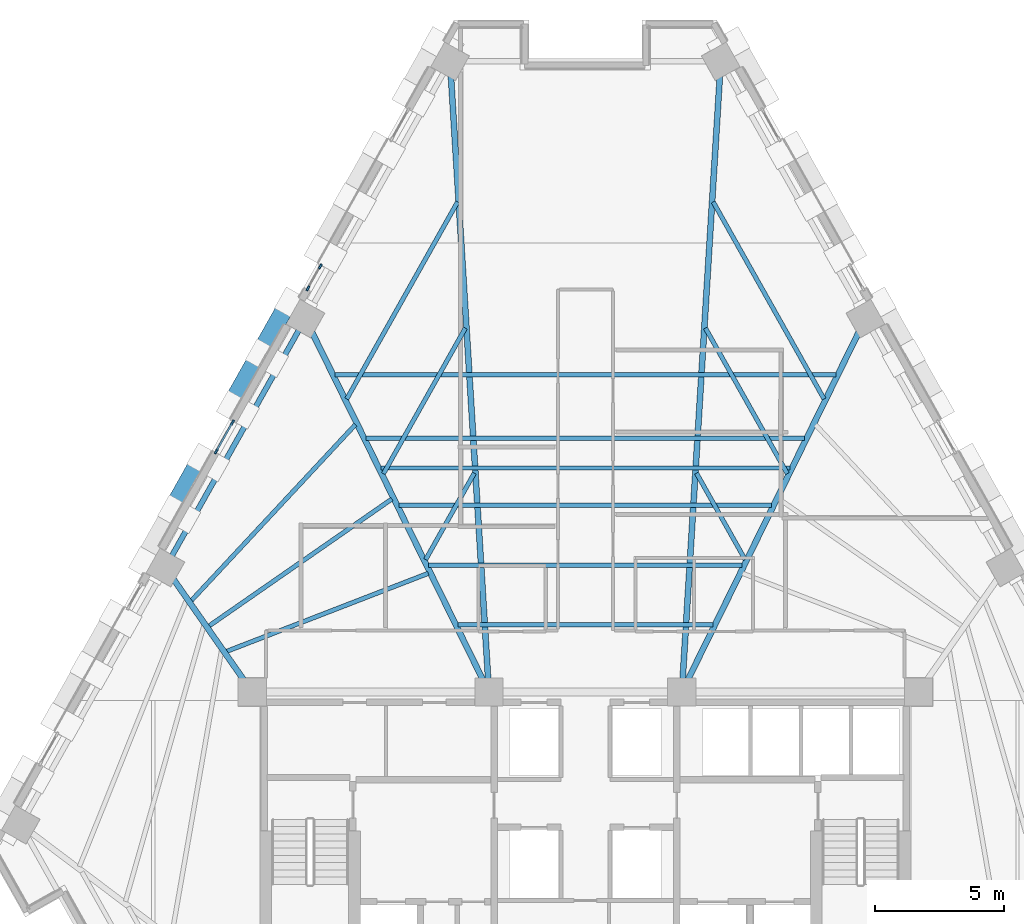
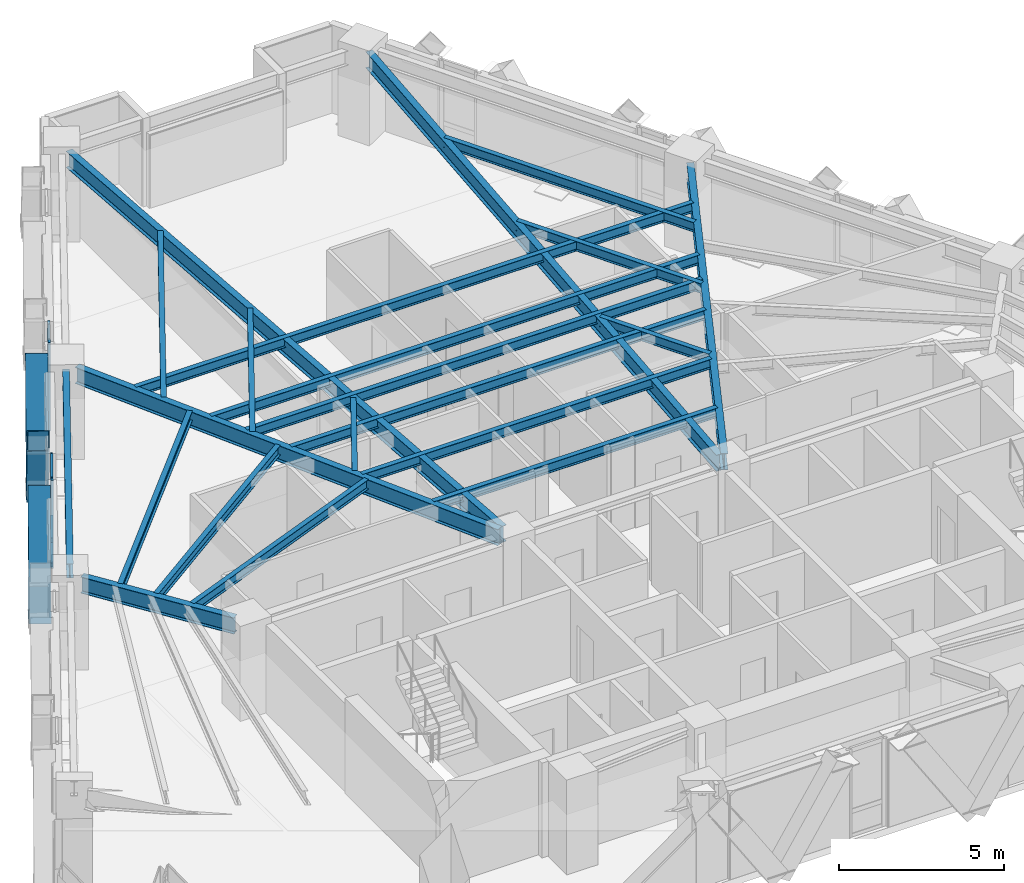
# One storey, part 3 of 13: 21 beams, 10 members, 2 elements without a shape of their own.
"""IFC4 building model written with IfcOpenShell, lengths in metres."""

import ifcopenshell
import ifcopenshell.guid

model = None  # the IFC model being written
_history = None  # IfcOwnerHistory: only IFC2X3 demands one
_inside = {}  # id of a spatial element -> (the spatial element, [elements in it])
_under = {}  # id of a project, library or spatial element -> (it, [spatial elements below it])
_declared = {}  # id of a project -> (the project, [libraries it declares])
_typed = {}  # id of a type object -> (the type object, [elements of that type])
_made_of = {}  # id of a material, layer set ... -> (it, [elements and type objects made of it])


def new_model(schema):
    """Start an empty IFC model of exactly this schema.

    Asked for "IFC4X3", IfcOpenShell would pick the latest addendum, in which some entities
    have other attributes; the version numbers below select the first issue.
    IFC2X3 requires an IfcOwnerHistory on every rooted entity: one is made here for all.
    """
    global model, _history
    if schema == "IFC4X3":
        model = ifcopenshell.file(schema_version=(4, 3, 0, 0))
    else:
        model = ifcopenshell.file(schema=schema)
    _inside.clear()
    _under.clear()
    _declared.clear()
    _typed.clear()
    _made_of.clear()
    _history = None
    if model.schema == "IFC2X3":
        org = make("IfcOrganization", Name="unknown")
        user = make(
            "IfcPersonAndOrganization",
            ThePerson=make("IfcPerson", FamilyName="unknown"),
            TheOrganization=org,
        )
        app = make(
            "IfcApplication",
            ApplicationDeveloper=org,
            Version="unknown",
            ApplicationFullName="unknown",
            ApplicationIdentifier="unknown",
        )
        _history = make(
            "IfcOwnerHistory",
            OwningUser=user,
            OwningApplication=app,
            ChangeAction="ADDED",
            CreationDate=0,
        )
    return model


def make(cls, **values):
    """One entity of the class cls with the attributes given. An attribute that is None is left unset."""
    return model.create_entity(
        cls, **{name: value for name, value in values.items() if value is not None}
    )


def rooted(cls, **values):
    """An entity with a GlobalId (a new one), such as an element, a storey or a relation."""
    return make(cls, GlobalId=ifcopenshell.guid.new(), OwnerHistory=_history, **values)


def si_unit(unit_type, name, prefix=None):
    """IfcSIUnit, for example si_unit("LENGTHUNIT", "METRE", prefix="MILLI")."""
    return make("IfcSIUnit", UnitType=unit_type, Prefix=prefix, Name=name)


def assignment(units):
    """IfcUnitAssignment: the units of a project."""
    return None if units is None else make("IfcUnitAssignment", Units=units)


def point(xyz):
    """IfcCartesianPoint."""
    return None if xyz is None else make("IfcCartesianPoint", Coordinates=xyz)


def direction(xyz):
    """IfcDirection."""
    return None if xyz is None else make("IfcDirection", DirectionRatios=xyz)


def frame(location, z_axis=None, x_axis=None):
    """IfcAxis2Placement3D, a coordinate frame: its origin and axes. An axis left out is left unset."""
    return make(
        "IfcAxis2Placement3D",
        Location=point(location),
        Axis=direction(z_axis),
        RefDirection=direction(x_axis),
    )


def frame_2d(location, x_axis=None):
    """IfcAxis2Placement2D, a coordinate frame in the plane: its origin and x axis."""
    return make(
        "IfcAxis2Placement2D", Location=point(location), RefDirection=direction(x_axis)
    )


def origin():
    """The frame at (0, 0, 0) with its axes left unset."""
    return frame((0.0, 0.0, 0.0))


def origin_2d():
    """The frame at (0, 0) in the plane with its x axis left unset."""
    return frame_2d((0.0, 0.0))


def place(relative_to, where):
    """IfcLocalPlacement: puts the frame where relative to a parent placement (None: the world)."""
    return make(
        "IfcLocalPlacement", PlacementRelTo=relative_to, RelativePlacement=where
    )


def context(
    kind, dimensions, precision=None, world=None, true_north=None, identifier=None
):
    """IfcGeometricRepresentationContext, for example the 3D "Model" context."""
    return make(
        "IfcGeometricRepresentationContext",
        ContextIdentifier=identifier,
        ContextType=kind,
        CoordinateSpaceDimension=dimensions,
        Precision=precision,
        WorldCoordinateSystem=world,
        TrueNorth=true_north,
    )


def subcontext(parent, identifier, kind, view, scale=None):
    """IfcGeometricRepresentationSubContext, for example "Body" below "Model"."""
    return make(
        "IfcGeometricRepresentationSubContext",
        ContextIdentifier=identifier,
        ContextType=kind,
        ParentContext=parent,
        TargetScale=scale,
        TargetView=view,
    )


def project(units=None, contexts=None):
    """IfcProject with its units and contexts."""
    return rooted(
        "IfcProject",
        Name="project",
        RepresentationContexts=contexts,
        UnitsInContext=assignment(units),
    )


def spatial(cls, under=None, at=None, **own):
    """A site, building, storey or space (cls), placed at a placement, below another one or the project."""
    s = rooted(cls, ObjectPlacement=at, **own)
    if under is not None:
        _under.setdefault(under.id(), (under, []))[1].append(s)
    return s


def profile(cls, at=None, kind="AREA", **sizes):
    """A parametric profile (cls). Its sizes go by their IFC names, for example OverallWidth=200.0."""
    return make(cls, ProfileType=kind, Position=at, **sizes)


def rectangle(**sizes):
    """IfcRectangleProfileDef."""
    return profile("IfcRectangleProfileDef", **sizes)


def hollow_rectangle(**sizes):
    """IfcRectangleHollowProfileDef."""
    return profile("IfcRectangleHollowProfileDef", **sizes)


def i_section(**sizes):
    """IfcIShapeProfileDef."""
    return profile("IfcIShapeProfileDef", **sizes)


def extrude(swept, where, along, depth):
    """IfcExtrudedAreaSolid: the profile swept, set in the frame where, extruded along a direction by depth."""
    return make(
        "IfcExtrudedAreaSolid",
        SweptArea=swept,
        Position=where,
        ExtrudedDirection=direction(along),
        Depth=depth,
    )


def shape(context_of_items, identifier, shape_type, items):
    """IfcShapeRepresentation: the items that make up one representation, for example the "Body"."""
    return make(
        "IfcShapeRepresentation",
        ContextOfItems=context_of_items,
        RepresentationIdentifier=identifier,
        RepresentationType=shape_type,
        Items=items,
    )


def material(Name=None, Category=None):
    """IfcMaterial."""
    return make("IfcMaterial", Name=Name, Category=Category)


def material_profile(
    of_material, cross_section, Name=None, Category=None, Priority=None
):
    """IfcMaterialProfile: a cross section and its material."""
    return make(
        "IfcMaterialProfile",
        Name=Name,
        Material=of_material,
        Profile=cross_section,
        Priority=Priority,
        Category=Category,
    )


def profile_set(profiles, Name=None, composite=None):
    """IfcMaterialProfileSet."""
    return make(
        "IfcMaterialProfileSet",
        Name=Name,
        MaterialProfiles=profiles,
        CompositeProfile=composite,
    )


def made_of(thing, what):
    """Note that an element or type object is made of a material, layer set ...; save() writes the relation."""
    if what is not None:
        _made_of.setdefault(what.id(), (what, []))[1].append(thing)
    return thing


def type_object(cls, material=None, **own):
    """A type object (cls), such as IfcWallType, which elements share."""
    return made_of(rooted(cls, **own), material)


def element(
    cls,
    number,
    at=None,
    inside=None,
    cuts=None,
    type_object=None,
    material=None,
    context=None,
    identifier="Body",
    shape_type=None,
    held_by="IfcProductDefinitionShape",
    body=None,
    shapes=None,
    **own,
):
    """One element of the class cls, such as IfcWall. Its Tag is "e" and its number.

    at: its placement. inside: the storey or other place that contains it. cuts: it is an
    opening in that element (IfcRelVoidsElement). A single representation is given by context,
    identifier, shape_type and body (its items); several are given by shapes. held_by: the class
    of the entity that holds the representations. save() writes the other relations.
    """
    e = rooted(cls, Tag="e%d" % number, ObjectPlacement=at, **own)
    if body is not None:
        shapes = [shape(context, identifier, shape_type, body)]
    if shapes is not None:
        e.Representation = make(held_by, Representations=shapes)
    if inside is not None:
        _inside.setdefault(inside.id(), (inside, []))[1].append(e)
    if cuts is not None:
        rooted(
            "IfcRelVoidsElement", RelatingBuildingElement=cuts, RelatedOpeningElement=e
        )
    if type_object is not None:
        _typed.setdefault(type_object.id(), (type_object, []))[1].append(e)
    return made_of(e, material)


def aggregate(whole, parts):
    """IfcRelAggregates: a whole, such as a stair, and the parts it consists of."""
    return rooted("IfcRelAggregates", RelatingObject=whole, RelatedObjects=parts)


def save(model, path):
    """Write the relations noted so far, then the file.

    IfcRelAggregates (storeys below a building ...), IfcRelContainedInSpatialStructure (elements
    in a storey), IfcRelDefinesByType, IfcRelAssociatesMaterial and IfcRelDeclares: one each for
    every whole, place, type object, material and project.
    """
    for whole, parts in _under.values():
        aggregate(whole, parts)
    for where, things in _inside.values():
        rooted(
            "IfcRelContainedInSpatialStructure",
            RelatedElements=things,
            RelatingStructure=where,
        )
    for kind, things in _typed.values():
        rooted("IfcRelDefinesByType", RelatedObjects=things, RelatingType=kind)
    for what, things in _made_of.values():
        rooted("IfcRelAssociatesMaterial", RelatedObjects=things, RelatingMaterial=what)
    for by, libraries in _declared.values():
        rooted("IfcRelDeclares", RelatingContext=by, RelatedDefinitions=libraries)
    model.write(path)


model = new_model("IFC4")

# Units and contexts
model_context = context("Model", 3, precision=1e-05, world=origin(), true_north=direction((0.0, 1.0)))
body_context = subcontext(model_context, "Body", "Model", "MODEL_VIEW")
ifc_project = project(units=[si_unit("LENGTHUNIT", "METRE"), si_unit("AREAUNIT", "SQUARE_METRE"), si_unit("VOLUMEUNIT", "CUBIC_METRE"), si_unit("PLANEANGLEUNIT", "RADIAN"), si_unit("MASSUNIT", "GRAM", prefix="KILO")], contexts=[model_context])

# Site, building, storey
site_placement = place(None, origin())
site = spatial("IfcSite", under=ifc_project, at=site_placement, CompositionType="ELEMENT")
building_placement = place(site_placement, origin())
building = spatial("IfcBuilding", under=site, at=building_placement, Name="Quenlor Broadcast Tower", CompositionType="ELEMENT")
storey_placement = place(building_placement, frame((0.0, 0.0, 109.0)))
storey = spatial("IfcBuildingStorey", under=building, at=storey_placement, Name="L29", CompositionType="ELEMENT", Elevation=109.0)

# Curtain wall, members
ifc_material_1 = material(Name="Architectural Terracotta and Low-E Glazing", Category="masonry")
curtain_wall_type = type_object("IfcCurtainWallType", Name="Unitised Terracotta Curtain Wall System Z2", PredefinedType="NOTDEFINED", material=ifc_material_1)
curtain_wall_1_placement = place(storey_placement, origin())
curtain_wall_1 = element("IfcCurtainWall", 1, at=curtain_wall_1_placement, inside=storey, type_object=curtain_wall_type, Name="L29 Curtain Wall CW2 (L29-NWC-G1)", PredefinedType="NOTDEFINED")
ifc_material_2 = material(Name="Aluminium 6063-T6", Category="aluminium")
ifc_material_profile_1 = material_profile(ifc_material_2, rectangle(XDim=0.074951171875, YDim=0.199951171875, at=origin_2d()))
ifc_profile_set_1 = profile_set([ifc_material_profile_1], Name="Aluminium 6063-T6 MULL75x200")
member_type_1 = type_object("IfcMemberType", Name="CW2 Aluminium Mullion MULL_CW2", PredefinedType="MULLION", material=ifc_profile_set_1)
member_1_placement = place(storey_placement, frame((-10.7880859375, 10.894775390625, 0.0), z_axis=(0.0, 0.0, 1.0), x_axis=(-0.871580587336, 0.490252261371, 0.0)))
member_1 = element("IfcMember", 2, at=member_1_placement, type_object=member_type_1, Name="CW2 mullion 1", PredefinedType="MULLION", context=body_context, shape_type="SweptSolid", body=[
    extrude(rectangle(XDim=0.074951171875, YDim=0.199951171875, at=origin_2d()), origin(), (0.0, 0.0, 1.0), 3.25),
])
member_2_placement = place(storey_placement, frame((-10.306396484375, 11.751220703125, 0.0), z_axis=(0.0, 0.0, 1.0), x_axis=(-0.871580587336, 0.490252261371, 0.0)))
member_2 = element("IfcMember", 3, at=member_2_placement, type_object=member_type_1, Name="CW2 mullion 2", PredefinedType="MULLION", context=body_context, shape_type="SweptSolid", body=[
    extrude(rectangle(XDim=0.074951171875, YDim=0.199951171875, at=origin_2d()), origin(), (0.0, 0.0, 1.0), 3.25),
])
aggregate(curtain_wall_1, [member_1, member_2])

curtain_wall_2_placement = place(storey_placement, origin())
curtain_wall_2 = element("IfcCurtainWall", 4, at=curtain_wall_2_placement, inside=storey, type_object=curtain_wall_type, Name="L29 Curtain Wall CW2 (L29-NW-G1)", PredefinedType="NOTDEFINED")
member_3_placement = place(storey_placement, frame((-14.3515625, 4.559814453125, 0.0), z_axis=(0.0, 0.0, 1.0), x_axis=(-0.871579452423, 0.490254279037, 0.0)))
member_3 = element("IfcMember", 5, at=member_3_placement, type_object=member_type_1, Name="CW2 mullion 1", PredefinedType="MULLION", context=body_context, shape_type="SweptSolid", body=[
    extrude(rectangle(XDim=0.074951171875, YDim=0.199951171875, at=origin_2d()), origin(), (0.0, 0.0, 1.0), 3.25),
])
member_4_placement = place(storey_placement, frame((-13.719482421875, 5.683349609375, 0.0), z_axis=(0.0, 0.0, 1.0), x_axis=(-0.871579452423, 0.490254279037, 0.0)))
member_4 = element("IfcMember", 6, at=member_4_placement, type_object=member_type_1, Name="CW2 mullion 2", PredefinedType="MULLION", context=body_context, shape_type="SweptSolid", body=[
    extrude(rectangle(XDim=0.074951171875, YDim=0.199951171875, at=origin_2d()), origin(), (0.0, 0.0, 1.0), 3.25),
])
ifc_material_3 = material(Name="Aluminium 6063-T6", Category="aluminium")
ifc_material_profile_2 = material_profile(ifc_material_3, rectangle(XDim=0.074951171875, YDim=0.1650390625, at=origin_2d()))
ifc_profile_set_2 = profile_set([ifc_material_profile_2], Name="Aluminium 6063-T6 TRAN75x165")
member_type_2 = type_object("IfcMemberType", Name="CW2 Aluminium Transom TRAN_CW2", PredefinedType="USERDEFINED", material=ifc_profile_set_2)
member_5_placement = place(storey_placement, frame((-14.333251953125, 4.592529296875, 0.03759765625), z_axis=(0.490433072585, 0.871478858788, 0.0), x_axis=(-0.871478858788, 0.490433072585, 0.0)))
member_5 = element("IfcMember", 7, at=member_5_placement, type_object=member_type_2, Name="CW2 transom 1.1", ObjectType="TRANSOM", PredefinedType="USERDEFINED", context=body_context, shape_type="SweptSolid", body=[
    extrude(rectangle(XDim=0.074951171875, YDim=0.1650390625, at=origin_2d()), origin(), (0.0, 0.0, 1.0), 1.214111328125),
])
member_6_placement = place(storey_placement, frame((-14.333251953125, 4.592529296875, 0.949951171875), z_axis=(0.490433072585, 0.871478858788, 0.0), x_axis=(-0.871478858788, 0.490433072585, 0.0)))
member_6 = element("IfcMember", 8, at=member_6_placement, type_object=member_type_2, Name="CW2 transom 1.2", ObjectType="TRANSOM", PredefinedType="USERDEFINED", context=body_context, shape_type="SweptSolid", body=[
    extrude(rectangle(XDim=0.074951171875, YDim=0.1650390625, at=origin_2d()), origin(), (0.0, 0.0, 1.0), 1.214111328125),
])
member_7_placement = place(storey_placement, frame((-14.333251953125, 4.592529296875, 3.21240234375), z_axis=(0.490433072585, 0.871478858788, 0.0), x_axis=(-0.871478858788, 0.490433072585, 0.0)))
member_7 = element("IfcMember", 9, at=member_7_placement, type_object=member_type_2, Name="CW2 transom 1.3", ObjectType="TRANSOM", PredefinedType="USERDEFINED", context=body_context, shape_type="SweptSolid", body=[
    extrude(rectangle(XDim=0.074951171875, YDim=0.1650390625, at=origin_2d()), origin(), (0.0, 0.0, 1.0), 1.214111328125),
])
aggregate(curtain_wall_2, [member_3, member_4, member_5, member_6, member_7])

# Members
ifc_material_4 = material(Name="Steel S355", Category="steel")
ifc_material_profile_3 = material_profile(ifc_material_4, hollow_rectangle(XDim=0.679931640625, YDim=0.679931640625, WallThickness=0.030029296875, at=origin_2d()))
ifc_profile_set_3 = profile_set([ifc_material_profile_3], Name="Steel S355 RHS680x680x30")
member_type_3 = type_object("IfcMemberType", Name="Perimeter Diagonal Lattice Brace Z2 Steel S355 RHS680x30", PredefinedType="BRACE", material=ifc_profile_set_3)
for number, where, z_axis, x_axis, name in (
    (10, (-16.07958984375, 2.29345703125, -0.1201171875), (0.268696511206, 0.477585438485, 0.836489290913), (-0.871532878923, 0.490337068716, 0.0), "L29 Perimeter Diamond Lattice NW-C3S"),
    (11, (-12.68017578125, 8.3369140625, -0.1201171875), (-0.268642373731, -0.477592925498, 0.83650240439), (0.871578380919, -0.490256183964, 0.0), "L29 Perimeter Diamond Lattice NW-C3B"),
):
    element("IfcMember", number, at=place(storey_placement, frame(where, z_axis=z_axis, x_axis=x_axis)), inside=storey, type_object=member_type_3, Name=name, PredefinedType="BRACE", context=body_context, shape_type="SweptSolid", body=[
        extrude(hollow_rectangle(XDim=0.679931640625, YDim=0.679931640625, WallThickness=0.030029296875, at=origin_2d()), origin(), (0.0, 0.0, 1.0), 4.18408203125),
    ])
member_8_placement = place(storey_placement, frame((-12.66650390625, 8.361083984375, -0.1201171875), z_axis=(0.268634887212, 0.477637964099, 0.83647909276), x_axis=(-0.871603971106, 0.490210686901, 0.0)))
element("IfcMember", 12, at=member_8_placement, inside=storey, type_object=member_type_3, Name="L29 Perimeter Diamond Lattice NW-C4S", PredefinedType="BRACE", context=body_context, shape_type="SweptSolid", body=[
    extrude(hollow_rectangle(XDim=0.679931640625, YDim=0.679931640625, WallThickness=0.030029296875, at=origin_2d()), origin(), (0.0, 0.0, 1.0), 4.184326171875),
])

# Beams
ifc_material_5 = material(Name="Steel S355", Category="steel")
ifc_material_profile_4 = material_profile(ifc_material_5, i_section(OverallWidth=0.208984375, OverallDepth=0.5283203125, WebThickness=0.009521484375, FlangeThickness=0.01318359375, FilletRadius=0.013916015625, at=origin_2d()))
ifc_profile_set_4 = profile_set([ifc_material_profile_4], Name="Steel S355 530UB82.0")
beam_type_1 = type_object("IfcBeamType", Name="Perimeter Spandrel Beam Z2 Steel S355 530UB82.0", PredefinedType="SPANDREL", material=ifc_profile_set_4)
beam_1_placement = place(storey_placement, frame((-11.087890625, 9.3623046875, 2.98583984375), z_axis=(-0.49026462139, -0.871573634878, 0.0), x_axis=(0.871573634878, -0.49026462139, 0.0)))
element("IfcBeam", 13, at=beam_1_placement, inside=storey, type_object=beam_type_1, Name="L29 Spandrel Beam NW2-NW3", PredefinedType="SPANDREL", context=body_context, shape_type="SweptSolid", body=[
    extrude(i_section(OverallWidth=0.208984375, OverallDepth=0.5283203125, WebThickness=0.009521484375, FlangeThickness=0.01318359375, FilletRadius=0.013916015625, at=origin_2d()), origin(), (0.0, 0.0, 1.0), 10.28271484375),
])
ifc_material_6 = material(Name="Steel S355", Category="steel")
ifc_material_profile_5 = material_profile(ifc_material_6, i_section(OverallWidth=0.172119140625, OverallDepth=0.358642578125, WebThickness=0.008056640625, FlangeThickness=0.012939453125, FilletRadius=0.011474609375, at=origin_2d()))
ifc_profile_set_5 = profile_set([ifc_material_profile_5], Name="Steel S355 360UB56.7")
beam_type_2 = type_object("IfcBeamType", Name="Tower Composite Joist Z2-Z3 Steel S355 360UB56.7", PredefinedType="JOIST", material=ifc_profile_set_5)
beam_2_placement = place(storey_placement, frame((-4.95458984375, -2.1865234375, 3.07080078125), z_axis=(1.0, 0.0, 0.0), x_axis=(0.0, 1.0, 0.0)))
element("IfcBeam", 14, at=beam_2_placement, inside=storey, type_object=beam_type_2, Name="L29 Secondary Composite Joist 1", PredefinedType="JOIST", context=body_context, shape_type="SweptSolid", body=[
    extrude(i_section(OverallWidth=0.172119140625, OverallDepth=0.358642578125, WebThickness=0.008056640625, FlangeThickness=0.012939453125, FilletRadius=0.011474609375, at=origin_2d()), origin(), (0.0, 0.0, 1.0), 9.9091796875),
])
beam_3_placement = place(storey_placement, frame((-7.9521484375, 3.911865234375, 3.07080078125), z_axis=(1.0, 0.0, 0.0), x_axis=(0.0, 1.0, 0.0)))
element("IfcBeam", 15, at=beam_3_placement, inside=storey, type_object=beam_type_2, Name="L29 Secondary Composite Joist 2", PredefinedType="JOIST", context=body_context, shape_type="SweptSolid", body=[
    extrude(i_section(OverallWidth=0.172119140625, OverallDepth=0.358642578125, WebThickness=0.008056640625, FlangeThickness=0.012939453125, FilletRadius=0.011474609375, at=origin_2d()), origin(), (0.0, 0.0, 1.0), 15.904296875),
])
beam_4_placement = place(storey_placement, frame((-6.096435546875, 0.13671875, 3.07080078125), z_axis=(1.0, 0.0, 0.0), x_axis=(0.0, 1.0, 0.0)))
element("IfcBeam", 16, at=beam_4_placement, inside=storey, type_object=beam_type_2, Name="L29 Secondary Composite Joist 3", PredefinedType="JOIST", context=body_context, shape_type="SweptSolid", body=[
    extrude(i_section(OverallWidth=0.172119140625, OverallDepth=0.358642578125, WebThickness=0.008056640625, FlangeThickness=0.012939453125, FilletRadius=0.011474609375, at=origin_2d()), origin(), (0.0, 0.0, 1.0), 12.19287109375),
])
beam_5_placement = place(storey_placement, frame((-7.238525390625, 2.4599609375, 3.07080078125), z_axis=(1.0, 0.0, 0.0), x_axis=(0.0, 1.0, 0.0)))
element("IfcBeam", 17, at=beam_5_placement, inside=storey, type_object=beam_type_2, Name="L29 Secondary Composite Joist 4", PredefinedType="JOIST", context=body_context, shape_type="SweptSolid", body=[
    extrude(i_section(OverallWidth=0.172119140625, OverallDepth=0.358642578125, WebThickness=0.008056640625, FlangeThickness=0.012939453125, FilletRadius=0.011474609375, at=origin_2d()), origin(), (0.0, 0.0, 1.0), 14.47705078125),
])
beam_6_placement = place(storey_placement, frame((-8.523193359375, 5.073486328125, 3.07080078125), z_axis=(1.0, 0.0, 0.0), x_axis=(0.0, 1.0, 0.0)))
element("IfcBeam", 18, at=beam_6_placement, inside=storey, type_object=beam_type_2, Name="L29 Secondary Composite Joist 5", PredefinedType="JOIST", context=body_context, shape_type="SweptSolid", body=[
    extrude(i_section(OverallWidth=0.172119140625, OverallDepth=0.358642578125, WebThickness=0.008056640625, FlangeThickness=0.012939453125, FilletRadius=0.011474609375, at=origin_2d()), origin(), (0.0, 0.0, 1.0), 17.04638671875),
])
beam_7_placement = place(storey_placement, frame((-9.736328125, 7.541748046875, 3.07080078125), z_axis=(1.0, 0.0, 0.0), x_axis=(0.0, 1.0, 0.0)))
element("IfcBeam", 19, at=beam_7_placement, inside=storey, type_object=beam_type_2, Name="L29 Secondary Composite Joist 6", PredefinedType="JOIST", context=body_context, shape_type="SweptSolid", body=[
    extrude(i_section(OverallWidth=0.172119140625, OverallDepth=0.358642578125, WebThickness=0.008056640625, FlangeThickness=0.012939453125, FilletRadius=0.011474609375, at=origin_2d()), origin(), (0.0, 0.0, 1.0), 19.47265625),
])
beam_8_placement = place(storey_placement, frame((-13.95703125, -3.221435546875, 3.07080078125), z_axis=(0.932542579586, 0.361060018916, 0.0), x_axis=(-0.361060018916, 0.932542579586, 0.0)))
element("IfcBeam", 20, at=beam_8_placement, inside=storey, type_object=beam_type_2, Name="L29 Secondary Composite Joist 7", PredefinedType="JOIST", context=body_context, shape_type="SweptSolid", body=[
    extrude(i_section(OverallWidth=0.172119140625, OverallDepth=0.358642578125, WebThickness=0.008056640625, FlangeThickness=0.012939453125, FilletRadius=0.011474609375, at=origin_2d()), origin(), (0.0, 0.0, 1.0), 8.416259765625),
])
beam_9_placement = place(storey_placement, frame((-14.641845703125, -2.236083984375, 3.07080078125), z_axis=(0.821385737622, 0.570373097219, 0.0), x_axis=(-0.570373097219, 0.821385737622, 0.0)))
element("IfcBeam", 21, at=beam_9_placement, inside=storey, type_object=beam_type_2, Name="L29 Secondary Composite Joist 8", PredefinedType="JOIST", context=body_context, shape_type="SweptSolid", body=[
    extrude(i_section(OverallWidth=0.172119140625, OverallDepth=0.358642578125, WebThickness=0.008056640625, FlangeThickness=0.012939453125, FilletRadius=0.011474609375, at=origin_2d()), origin(), (0.0, 0.0, 1.0), 8.662109375),
])
beam_10_placement = place(storey_placement, frame((-15.3291015625, -1.254638671875, 3.07080078125), z_axis=(0.681880655944, 0.73146344478, 0.0), x_axis=(-0.73146344478, 0.681880655944, 0.0)))
element("IfcBeam", 22, at=beam_10_placement, inside=storey, type_object=beam_type_2, Name="L29 Secondary Composite Joist 9", PredefinedType="JOIST", context=body_context, shape_type="SweptSolid", body=[
    extrude(i_section(OverallWidth=0.172119140625, OverallDepth=0.358642578125, WebThickness=0.008056640625, FlangeThickness=0.012939453125, FilletRadius=0.011474609375, at=origin_2d()), origin(), (0.0, 0.0, 1.0), 9.365234375),
])
beam_11_placement = place(storey_placement, frame((-4.318603515625, 3.7119140625, 3.07080078125), z_axis=(-0.49024921379, -0.871582301552, 0.0), x_axis=(0.871582301552, -0.49024921379, 0.0)))
element("IfcBeam", 23, at=beam_11_placement, inside=storey, type_object=beam_type_2, Name="L29 Secondary Composite Joist 25", PredefinedType="JOIST", context=body_context, shape_type="SweptSolid", body=[
    extrude(i_section(OverallWidth=0.172119140625, OverallDepth=0.358642578125, WebThickness=0.008056640625, FlangeThickness=0.012939453125, FilletRadius=0.011474609375, at=origin_2d()), origin(), (0.0, 0.0, 1.0), 3.85546875),
])
beam_12_placement = place(storey_placement, frame((-4.66650390625, 9.351318359375, 3.07080078125), z_axis=(-0.490232680913, -0.871591600789, 0.0), x_axis=(0.871591600789, -0.490232680913, 0.0)))
element("IfcBeam", 24, at=beam_12_placement, inside=storey, type_object=beam_type_2, Name="L29 Secondary Composite Joist 26", PredefinedType="JOIST", context=body_context, shape_type="SweptSolid", body=[
    extrude(i_section(OverallWidth=0.172119140625, OverallDepth=0.358642578125, WebThickness=0.008056640625, FlangeThickness=0.012939453125, FilletRadius=0.011474609375, at=origin_2d()), origin(), (0.0, 0.0, 1.0), 6.494140625),
])
beam_13_placement = place(storey_placement, frame((-4.96875, 14.255126953125, 3.07080078125), z_axis=(-0.490273109583, -0.871568860171, 0.0), x_axis=(0.871568860171, -0.490273109583, 0.0)))
element("IfcBeam", 25, at=beam_13_placement, inside=storey, type_object=beam_type_2, Name="L29 Secondary Composite Joist 27", PredefinedType="JOIST", context=body_context, shape_type="SweptSolid", body=[
    extrude(i_section(OverallWidth=0.172119140625, OverallDepth=0.358642578125, WebThickness=0.008056640625, FlangeThickness=0.012939453125, FilletRadius=0.011474609375, at=origin_2d()), origin(), (0.0, 0.0, 1.0), 8.78857421875),
])
beam_14_placement = place(storey_placement, frame((4.318603515625, 3.7119140625, 3.07080078125), z_axis=(0.49024921379, -0.871582301552, 0.0), x_axis=(0.871582301552, 0.49024921379, 0.0)))
element("IfcBeam", 26, at=beam_14_placement, inside=storey, type_object=beam_type_2, Name="L29 Secondary Composite Joist 28", PredefinedType="JOIST", context=body_context, shape_type="SweptSolid", body=[
    extrude(i_section(OverallWidth=0.172119140625, OverallDepth=0.358642578125, WebThickness=0.008056640625, FlangeThickness=0.012939453125, FilletRadius=0.011474609375, at=origin_2d()), origin(), (0.0, 0.0, 1.0), 3.85546875),
])
beam_15_placement = place(storey_placement, frame((4.66650390625, 9.351318359375, 3.07080078125), z_axis=(0.490232680913, -0.871591600789, 0.0), x_axis=(0.871591600789, 0.490232680913, 0.0)))
element("IfcBeam", 27, at=beam_15_placement, inside=storey, type_object=beam_type_2, Name="L29 Secondary Composite Joist 29", PredefinedType="JOIST", context=body_context, shape_type="SweptSolid", body=[
    extrude(i_section(OverallWidth=0.172119140625, OverallDepth=0.358642578125, WebThickness=0.008056640625, FlangeThickness=0.012939453125, FilletRadius=0.011474609375, at=origin_2d()), origin(), (0.0, 0.0, 1.0), 6.494140625),
])
beam_16_placement = place(storey_placement, frame((4.96875, 14.255126953125, 3.07080078125), z_axis=(0.490273109583, -0.871568860171, 0.0), x_axis=(0.871568860171, 0.490273109583, 0.0)))
element("IfcBeam", 28, at=beam_16_placement, inside=storey, type_object=beam_type_2, Name="L29 Secondary Composite Joist 30", PredefinedType="JOIST", context=body_context, shape_type="SweptSolid", body=[
    extrude(i_section(OverallWidth=0.172119140625, OverallDepth=0.358642578125, WebThickness=0.008056640625, FlangeThickness=0.012939453125, FilletRadius=0.011474609375, at=origin_2d()), origin(), (0.0, 0.0, 1.0), 8.78857421875),
])
ifc_material_7 = material(Name="Steel S355", Category="steel")
ifc_material_profile_6 = material_profile(ifc_material_7, i_section(OverallWidth=0.22802734375, OverallDepth=0.60205078125, WebThickness=0.010498046875, FlangeThickness=0.014892578125, FilletRadius=0.013916015625, at=origin_2d()))
ifc_profile_set_6 = profile_set([ifc_material_profile_6], Name="Steel S355 610UB101")
beam_type_3 = type_object("IfcBeamType", Name="Tower Primary Floor Beam Z2 Steel S355 610UB101", PredefinedType="BEAM", material=ifc_profile_set_6)
beam_17_placement = place(storey_placement, frame((10.7060546875, 9.351806640625, 2.948974609375), z_axis=(-0.441130328176, -0.897443053103, 0.0), x_axis=(0.897443053103, -0.441130328176, 0.0)))
element("IfcBeam", 29, at=beam_17_placement, inside=storey, type_object=beam_type_3, Name="L29 Primary Radial Beam NE3", PredefinedType="BEAM", context=body_context, shape_type="SweptSolid", body=[
    extrude(i_section(OverallWidth=0.22802734375, OverallDepth=0.60205078125, WebThickness=0.010498046875, FlangeThickness=0.014892578125, FilletRadius=0.013916015625, at=origin_2d()), origin(), (0.0, 0.0, 1.0), 15.38916015625),
])
for number, where, z_axis, x_axis, name in (
    (30, (5.237060546875, 19.309814453125, 2.948974609375), (-0.061559977358, -0.998103386022, 0.0), (0.998103386022, -0.061559977358, 0.0), "L29 Primary Radial Beam NE4"),
    (31, (-5.237060546875, 19.309814453125, 2.948974609375), (0.061559977358, -0.998103386022, 0.0), (0.998103386022, 0.061559977358, 0.0), "L29 Primary Radial Beam NW1"),
):
    element("IfcBeam", number, at=place(storey_placement, frame(where, z_axis=z_axis, x_axis=x_axis)), inside=storey, type_object=beam_type_3, Name=name, PredefinedType="BEAM", context=body_context, shape_type="SweptSolid", body=[
        extrude(i_section(OverallWidth=0.22802734375, OverallDepth=0.60205078125, WebThickness=0.010498046875, FlangeThickness=0.014892578125, FilletRadius=0.013916015625, at=origin_2d()), origin(), (0.0, 0.0, 1.0), 23.775634765625),
    ])
beam_18_placement = place(storey_placement, frame((-10.7060546875, 9.351806640625, 2.948974609375), z_axis=(0.441130328176, -0.897443053103, 0.0), x_axis=(0.897443053103, 0.441130328176, 0.0)))
element("IfcBeam", 32, at=beam_18_placement, inside=storey, type_object=beam_type_3, Name="L29 Primary Radial Beam NW2", PredefinedType="BEAM", context=body_context, shape_type="SweptSolid", body=[
    extrude(i_section(OverallWidth=0.22802734375, OverallDepth=0.60205078125, WebThickness=0.010498046875, FlangeThickness=0.014892578125, FilletRadius=0.013916015625, at=origin_2d()), origin(), (0.0, 0.0, 1.0), 15.38916015625),
])
beam_19_placement = place(storey_placement, frame((-16.095458984375, -0.293212890625, 2.948974609375), z_axis=(0.572337599985, -0.820018092266, 0.0), x_axis=(0.820018092266, 0.572337599985, 0.0)))
element("IfcBeam", 33, at=beam_19_placement, inside=storey, type_object=beam_type_3, Name="L29 Primary Radial Beam NW3", PredefinedType="BEAM", context=body_context, shape_type="SweptSolid", body=[
    extrude(i_section(OverallWidth=0.22802734375, OverallDepth=0.60205078125, WebThickness=0.010498046875, FlangeThickness=0.014892578125, FilletRadius=0.013916015625, at=origin_2d()), origin(), (0.0, 0.0, 1.0), 5.11572265625),
])

save(model, "model.ifc")
